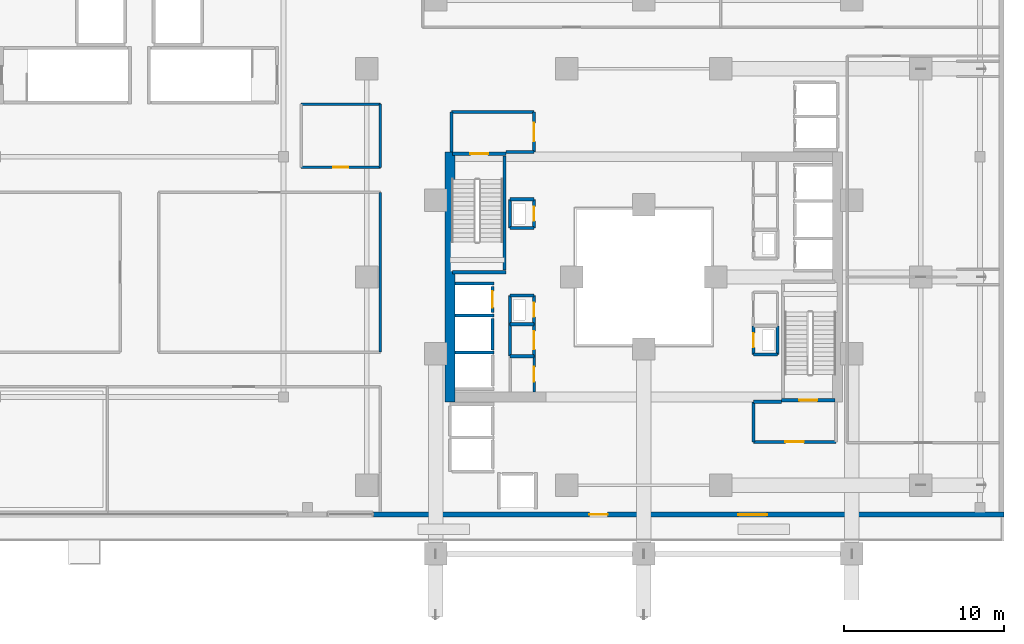
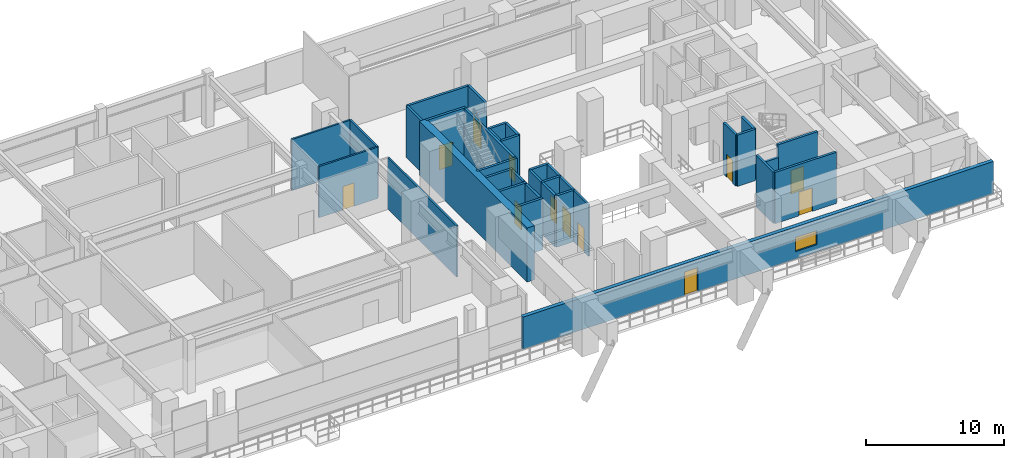
# One storey, part 18 of 25: 37 walls, 12 doors, 1 window, 13 openings.
"""IFC4 building model written with IfcOpenShell, lengths in metres."""

from ifc_helpers import new_model, si_unit, direction, frame, frame_2d, origin, place, context, subcontext, project, spatial, rectangle, extrude, material, layer, layer_set, type_object, element, fill, save


model = new_model("IFC4")

# Units and contexts
model_context = context("Model", 3, precision=1e-05, world=origin(), true_north=direction((0.0, 1.0)))
body_context = subcontext(model_context, "Body", "Model", "MODEL_VIEW")
ifc_project = project(units=[si_unit("LENGTHUNIT", "METRE"), si_unit("AREAUNIT", "SQUARE_METRE"), si_unit("VOLUMEUNIT", "CUBIC_METRE"), si_unit("PLANEANGLEUNIT", "RADIAN"), si_unit("MASSUNIT", "GRAM", prefix="KILO")], contexts=[model_context])

# Site, building, storey
site_placement = place(None, origin())
site = spatial("IfcSite", under=ifc_project, at=site_placement, CompositionType="ELEMENT")
building_placement = place(site_placement, origin())
building = spatial("IfcBuilding", under=site, at=building_placement, Name="Thornwick Lancets Civic Towers", CompositionType="ELEMENT")
storey_placement = place(building_placement, frame((0.0, 0.0, 23.10009765625)))
storey = spatial("IfcBuildingStorey", under=building, at=storey_placement, Name="L05", CompositionType="ELEMENT", Elevation=23.10009765625)

# Wall, opening, door
ifc_material_1 = material(Name="Concrete blockwork C40/50", Category="masonry")
ifc_layer_1 = layer(ifc_material_1, 0.199951171875, Name="Concrete blockwork C40/50")
ifc_layer_set_1 = layer_set([ifc_layer_1], Name="Concrete blockwork C40/50")
wall_type_1 = type_object("IfcWallType", Name="WALL_COMP_200", PredefinedType="STANDARD", material=ifc_layer_set_1)
wall_1_placement = place(storey_placement, frame((79.050048828125, 24.780029296875, 0.0), z_axis=(0.0, 0.0, 1.0), x_axis=(0.0, 1.0, 0.0)))
wall_1 = element("IfcWall", 1, at=wall_1_placement, inside=storey, type_object=wall_type_1, Name="L05 Hoistway Front Wall FL-B2", PredefinedType="STANDARD", context=body_context, shape_type="SweptSolid", body=[
    extrude(rectangle(XDim=1.639892578125, YDim=0.199951171875, at=frame_2d((0.81982421875, 0.0))), origin(), (0.0, 0.0, 1.0), 4.539794921875),
])
opening_1_placement = place(wall_1_placement, frame((0.31005859375, 0.0, 0.0)))
opening_1 = element("IfcOpeningElement", 2, at=opening_1_placement, cuts=wall_1, Name="Opening LD-FL-B2", PredefinedType="OPENING", context=body_context, shape_type="SweptSolid", body=[
    extrude(rectangle(XDim=1.02001953125, YDim=2.06005859375, at=frame_2d((0.510009765625, 1.030029296875))), frame((0.0, 0.10986328125, 0.0), z_axis=(0.0, -1.0, 0.0), x_axis=(1.0, 0.0, 0.0)), (0.0, 0.0, 1.0), 0.219970703125),
])
ifc_material_2 = material(Name="Brushed bronze stainless steel", Category="steel")
door_type_1 = type_object("IfcDoorType", Name="DOOR_LIFT_SLIDE", OperationType="SLIDING_TO_LEFT", PredefinedType="DOOR", material=ifc_material_2)
door_1_placement = place(opening_1_placement, origin())
door_1 = element("IfcDoor", 3, at=door_1_placement, inside=storey, type_object=door_type_1, Name="L05 Sliding Lift Landing Door LD-FL-B2", OperationType="SLIDING_TO_LEFT", OverallHeight=2.06005859375, OverallWidth=1.02001953125, PredefinedType="DOOR", context=body_context, shape_type="SweptSolid", body=[
    extrude(rectangle(XDim=1.02001953125, YDim=2.06005859375, at=frame_2d((0.510009765625, 1.030029296875))), frame((0.0, 0.02490234375, 0.0), z_axis=(0.0, -1.0, 0.0), x_axis=(1.0, 0.0, 0.0)), (0.0, 0.0, 1.0), 0.050048828125),
])
fill(opening_1, door_1)

# Walls
wall_2_placement = place(storey_placement, frame((79.050048828125, 22.429931640625, 0.0), z_axis=(0.0, 0.0, 1.0), x_axis=(0.0, 1.0, 0.0)))
element("IfcWall", 4, at=wall_2_placement, inside=storey, type_object=wall_type_1, Name="L05 Hoistway Front Wall PL-BH2", PredefinedType="STANDARD", context=body_context, shape_type="SweptSolid", body=[
    extrude(rectangle(XDim=1.989990234375, YDim=0.199951171875, at=frame_2d((0.9951171875, 0.0))), origin(), (0.0, 0.0, 1.0), 4.539794921875),
])
for number, where, z_axis, x_axis, name in (
    (5, (76.7119140625, 26.60009765625, 0.0), (0.0, 0.0, 1.0), (1.0, 0.0, 0.0), "L05 Hoistway Shaft Wall FL-B2 N"),
    (6, (76.7119140625, 24.60009765625, 0.0), (0.0, 0.0, 1.0), (1.0, 0.0, 0.0), "L05 Hoistway Shaft Wall FL-B2 S"),
    (7, (76.7119140625, 22.27490234375, 0.0), (0.0, 0.0, 1.0), (1.0, 0.0, 0.0), "L05 Hoistway Shaft Wall PL-BH2 S"),
):
    element("IfcWall", number, at=place(storey_placement, frame(where, z_axis=z_axis, x_axis=x_axis)), inside=storey, type_object=wall_type_1, Name=name, PredefinedType="STANDARD", context=body_context, shape_type="SweptSolid", body=[
        extrude(rectangle(XDim=2.43603515625, YDim=0.199951171875, at=frame_2d((1.218017578125, 0.0))), origin(), (0.0, 0.0, 1.0), 4.539794921875),
    ])

# Wall, opening, door
wall_3_placement = place(storey_placement, frame((95.35009765625, 16.699951171875, 0.0), z_axis=(0.0, 0.0, 1.0), x_axis=(1.0, 0.0, 0.0)))
wall_3 = element("IfcWall", 8, at=wall_3_placement, inside=storey, type_object=wall_type_1, Name="L05 Partition L05-B-FFLOB1 E1", PredefinedType="STANDARD", context=body_context, shape_type="SweptSolid", body=[
    extrude(rectangle(XDim=5.14990234375, YDim=0.199951171875, at=frame_2d((2.574951171875, 0.0))), origin(), (0.0, 0.0, 1.0), 4.539794921875),
])
opening_2_placement = place(wall_3_placement, frame((2.0, 0.0, 0.0)))
opening_2 = element("IfcOpeningElement", 9, at=opening_2_placement, cuts=wall_3, Name="Opening D-L05-0289", PredefinedType="OPENING", context=body_context, shape_type="SweptSolid", body=[
    extrude(rectangle(XDim=1.14990234375, YDim=2.10009765625, at=frame_2d((0.574951171875, 1.050048828125))), frame((0.0, 0.10986328125, 0.0), z_axis=(0.0, -1.0, 0.0), x_axis=(1.0, 0.0, 0.0)), (0.0, 0.0, 1.0), 0.219970703125),
])
ifc_material_3 = material(Name="Glazed fire-resisting steel", Category="steel")
door_type_2 = type_object("IfcDoorType", Name="DOOR_LOBBY_FD60", OperationType="NOTDEFINED", PredefinedType="DOOR", material=ifc_material_3)
door_2_placement = place(opening_2_placement, origin())
door_2 = element("IfcDoor", 10, at=door_2_placement, inside=storey, type_object=door_type_2, Name="L05 East Firefighting Lobby 1 Door", OperationType="SINGLE_SWING_RIGHT", OverallHeight=2.10009765625, OverallWidth=1.14990234375, PredefinedType="DOOR", context=body_context, shape_type="SweptSolid", body=[
    extrude(rectangle(XDim=1.14990234375, YDim=2.10009765625, at=frame_2d((0.574951171875, 1.050048828125))), frame((0.0, 0.02490234375, 0.0), z_axis=(0.0, -1.0, 0.0), x_axis=(1.0, 0.0, 0.0)), (0.0, 0.0, 1.0), 0.050048828125),
])
fill(opening_2, door_2)

# Walls
wall_4_placement = place(storey_placement, frame((97.10009765625, 19.199951171875, 0.0), z_axis=(0.0, 0.0, 1.0), x_axis=(-1.0, 0.0, 0.0)))
element("IfcWall", 11, at=wall_4_placement, inside=storey, type_object=wall_type_1, Name="L05 Partition L05-B-FFLOB1 E3", PredefinedType="STANDARD", context=body_context, shape_type="SweptSolid", body=[
    extrude(rectangle(XDim=1.75, YDim=0.199951171875, at=frame_2d((0.875, 0.0))), origin(), (0.0, 0.0, 1.0), 3.744873046875),
])
wall_5_placement = place(storey_placement, frame((95.35009765625, 19.199951171875, 0.0), z_axis=(0.0, 0.0, 1.0), x_axis=(0.0, -1.0, 0.0)))
element("IfcWall", 12, at=wall_5_placement, inside=storey, type_object=wall_type_1, Name="L05 Partition L05-B-FFLOB1 E4", PredefinedType="STANDARD", context=body_context, shape_type="SweptSolid", body=[
    extrude(rectangle(XDim=2.5, YDim=0.199951171875, at=frame_2d((1.25, 0.0))), origin(), (0.0, 0.0, 1.0), 4.539794921875),
])
wall_6_placement = place(storey_placement, frame((79.89990234375, 34.800048828125, 0.0), z_axis=(0.0, 0.0, 1.0), x_axis=(1.0, 0.0, 0.0)))
element("IfcWall", 13, at=wall_6_placement, inside=storey, type_object=wall_type_1, Name="L05 Partition L05-B-FFLOB2 E1", PredefinedType="STANDARD", context=body_context, shape_type="SweptSolid", body=[
    extrude(rectangle(XDim=1.75, YDim=0.199951171875, at=frame_2d((0.875, 0.0))), origin(), (0.0, 0.0, 1.0), 3.744873046875),
])

# Wall, opening, door
wall_7_placement = place(storey_placement, frame((81.64990234375, 34.800048828125, 0.0), z_axis=(0.0, 0.0, 1.0), x_axis=(0.0, 1.0, 0.0)))
wall_7 = element("IfcWall", 14, at=wall_7_placement, inside=storey, type_object=wall_type_1, Name="L05 Partition L05-B-FFLOB2 E2", PredefinedType="STANDARD", context=body_context, shape_type="SweptSolid", body=[
    extrude(rectangle(XDim=2.5, YDim=0.199951171875, at=frame_2d((1.25, 0.0))), origin(), (0.0, 0.0, 1.0), 4.539794921875),
])
opening_3_placement = place(wall_7_placement, frame((0.675048828125, 0.0, 0.0)))
opening_3 = element("IfcOpeningElement", 15, at=opening_3_placement, cuts=wall_7, Name="Opening D-L05-0290", PredefinedType="OPENING", context=body_context, shape_type="SweptSolid", body=[
    extrude(rectangle(XDim=1.14990234375, YDim=2.10009765625, at=frame_2d((0.574951171875, 1.050048828125))), frame((0.0, 0.10986328125, 0.0), z_axis=(0.0, -1.0, 0.0), x_axis=(1.0, 0.0, 0.0)), (0.0, 0.0, 1.0), 0.219970703125),
])
door_3_placement = place(opening_3_placement, origin())
door_3 = element("IfcDoor", 16, at=door_3_placement, inside=storey, type_object=door_type_2, Name="L05 West Firefighting Lobby 2 Door", OperationType="SINGLE_SWING_LEFT", OverallHeight=2.10009765625, OverallWidth=1.14990234375, PredefinedType="DOOR", context=body_context, shape_type="SweptSolid", body=[
    extrude(rectangle(XDim=1.14990234375, YDim=2.10009765625, at=frame_2d((0.574951171875, 1.050048828125))), frame((0.0, 0.02490234375, 0.0), z_axis=(0.0, -1.0, 0.0), x_axis=(1.0, 0.0, 0.0)), (0.0, 0.0, 1.0), 0.050048828125),
])
fill(opening_3, door_3)

# Walls
wall_8_placement = place(storey_placement, frame((81.64990234375, 37.300048828125, 0.0), z_axis=(0.0, 0.0, 1.0), x_axis=(-1.0, 0.0, 0.0)))
element("IfcWall", 17, at=wall_8_placement, inside=storey, type_object=wall_type_1, Name="L05 Partition L05-B-FFLOB2 E3", PredefinedType="STANDARD", context=body_context, shape_type="SweptSolid", body=[
    extrude(rectangle(XDim=5.14990234375, YDim=0.199951171875, at=frame_2d((2.574951171875, 0.0))), origin(), (0.0, 0.0, 1.0), 4.539794921875),
])
wall_9_placement = place(storey_placement, frame((76.5, 37.300048828125, 0.0), z_axis=(0.0, 0.0, 1.0), x_axis=(0.0, -1.0, 0.0)))
element("IfcWall", 18, at=wall_9_placement, inside=storey, type_object=wall_type_1, Name="L05 Partition L05-B-FFLOB2 E4", PredefinedType="STANDARD", context=body_context, shape_type="SweptSolid", body=[
    extrude(rectangle(XDim=2.5, YDim=0.199951171875, at=frame_2d((1.25, 0.0))), origin(), (0.0, 0.0, 1.0), 4.539794921875),
])
wall_10_placement = place(storey_placement, frame((95.35009765625, 22.14990234375, 0.0), z_axis=(0.0, 0.0, 1.0), x_axis=(1.0, 0.0, 0.0)))
element("IfcWall", 19, at=wall_10_placement, inside=storey, type_object=wall_type_1, Name="L05 Partition L05-B-RISER1 E1", PredefinedType="STANDARD", context=body_context, shape_type="SweptSolid", body=[
    extrude(rectangle(XDim=1.5, YDim=0.199951171875, at=frame_2d((0.75, 0.0))), origin(), (0.0, 0.0, 1.0), 4.539794921875),
])
wall_11_placement = place(storey_placement, frame((96.85009765625, 22.14990234375, 0.0), z_axis=(0.0, 0.0, 1.0), x_axis=(0.0, 1.0, 0.0)))
element("IfcWall", 20, at=wall_11_placement, inside=storey, type_object=wall_type_1, Name="L05 Partition L05-B-RISER1 E2", PredefinedType="STANDARD", context=body_context, shape_type="SweptSolid", body=[
    extrude(rectangle(XDim=1.800048828125, YDim=0.199951171875, at=frame_2d((0.89990234375, 0.0))), origin(), (0.0, 0.0, 1.0), 4.539794921875),
])

# Wall, opening, door
wall_12_placement = place(storey_placement, frame((95.35009765625, 23.949951171875, 0.0), z_axis=(0.0, 0.0, 1.0), x_axis=(0.0, -1.0, 0.0)))
wall_12 = element("IfcWall", 21, at=wall_12_placement, inside=storey, type_object=wall_type_1, Name="L05 Partition L05-B-RISER1 E4", PredefinedType="STANDARD", context=body_context, shape_type="SweptSolid", body=[
    extrude(rectangle(XDim=1.800048828125, YDim=0.199951171875, at=frame_2d((0.89990234375, 0.0))), origin(), (0.0, 0.0, 1.0), 4.539794921875),
])
opening_4_placement = place(wall_12_placement, frame((0.4599609375, 0.0, 0.0)))
opening_4 = element("IfcOpeningElement", 22, at=opening_4_placement, cuts=wall_12, Name="Opening D-L05-0292", PredefinedType="OPENING", context=body_context, shape_type="SweptSolid", body=[
    extrude(rectangle(XDim=0.8798828125, YDim=2.0400390625, at=frame_2d((0.43994140625, 1.02001953125))), frame((0.0, 0.10986328125, 0.0), z_axis=(0.0, -1.0, 0.0), x_axis=(1.0, 0.0, 0.0)), (0.0, 0.0, 1.0), 0.219970703125),
])
ifc_material_4 = material(Name="Steel riser access doorset", Category="steel")
door_type_3 = type_object("IfcDoorType", Name="DOOR_RISER_850", OperationType="NOTDEFINED", PredefinedType="DOOR", material=ifc_material_4)
door_4_placement = place(opening_4_placement, origin())
door_4 = element("IfcDoor", 23, at=door_4_placement, inside=storey, type_object=door_type_3, Name="L05 East Electrical Riser 1 Door", OperationType="SINGLE_SWING_LEFT", OverallHeight=2.0400390625, OverallWidth=0.8798828125, PredefinedType="DOOR", context=body_context, shape_type="SweptSolid", body=[
    extrude(rectangle(XDim=0.8798828125, YDim=2.0400390625, at=frame_2d((0.43994140625, 1.02001953125))), frame((0.0, 0.02490234375, 0.0), z_axis=(0.0, -1.0, 0.0), x_axis=(1.0, 0.0, 0.0)), (0.0, 0.0, 1.0), 0.050048828125),
])
fill(opening_4, door_4)

# Wall
wall_13_placement = place(storey_placement, frame((80.14990234375, 24.050048828125, 0.0), z_axis=(0.0, 0.0, 1.0), x_axis=(1.0, 0.0, 0.0)))
element("IfcWall", 24, at=wall_13_placement, inside=storey, type_object=wall_type_1, Name="L05 Partition L05-B-DUCT2 E1", PredefinedType="STANDARD", context=body_context, shape_type="SweptSolid", body=[
    extrude(rectangle(XDim=1.5, YDim=0.199951171875, at=frame_2d((0.75, 0.0))), origin(), (0.0, 0.0, 1.0), 4.539794921875),
])

# Wall, opening, door
wall_14_placement = place(storey_placement, frame((81.64990234375, 24.050048828125, 0.0), z_axis=(0.0, 0.0, 1.0), x_axis=(0.0, 1.0, 0.0)))
wall_14 = element("IfcWall", 25, at=wall_14_placement, inside=storey, type_object=wall_type_1, Name="L05 Partition L05-B-DUCT2 E2", PredefinedType="STANDARD", context=body_context, shape_type="SweptSolid", body=[
    extrude(rectangle(XDim=1.800048828125, YDim=0.199951171875, at=frame_2d((0.89990234375, 0.0))), origin(), (0.0, 0.0, 1.0), 4.539794921875),
])
opening_5_placement = place(wall_14_placement, frame((0.4599609375, 0.0, 0.0)))
opening_5 = element("IfcOpeningElement", 26, at=opening_5_placement, cuts=wall_14, Name="Opening D-L05-0293", PredefinedType="OPENING", context=body_context, shape_type="SweptSolid", body=[
    extrude(rectangle(XDim=0.8798828125, YDim=2.0400390625, at=frame_2d((0.43994140625, 1.02001953125))), frame((0.0, 0.10986328125, 0.0), z_axis=(0.0, -1.0, 0.0), x_axis=(1.0, 0.0, 0.0)), (0.0, 0.0, 1.0), 0.219970703125),
])
door_5_placement = place(opening_5_placement, origin())
door_5 = element("IfcDoor", 27, at=door_5_placement, inside=storey, type_object=door_type_3, Name="L05 West Service Duct 2 Door", OperationType="SINGLE_SWING_RIGHT", OverallHeight=2.0400390625, OverallWidth=0.8798828125, PredefinedType="DOOR", context=body_context, shape_type="SweptSolid", body=[
    extrude(rectangle(XDim=0.8798828125, YDim=2.0400390625, at=frame_2d((0.43994140625, 1.02001953125))), frame((0.0, 0.02490234375, 0.0), z_axis=(0.0, -1.0, 0.0), x_axis=(1.0, 0.0, 0.0)), (0.0, 0.0, 1.0), 0.050048828125),
])
fill(opening_5, door_5)

# Walls
wall_15_placement = place(storey_placement, frame((81.64990234375, 25.85009765625, 0.0), z_axis=(0.0, 0.0, 1.0), x_axis=(-1.0, 0.0, 0.0)))
element("IfcWall", 28, at=wall_15_placement, inside=storey, type_object=wall_type_1, Name="L05 Partition L05-B-DUCT2 E3", PredefinedType="STANDARD", context=body_context, shape_type="SweptSolid", body=[
    extrude(rectangle(XDim=1.5, YDim=0.199951171875, at=frame_2d((0.75, 0.0))), origin(), (0.0, 0.0, 1.0), 4.539794921875),
])
wall_16_placement = place(storey_placement, frame((80.14990234375, 25.85009765625, 0.0), z_axis=(0.0, 0.0, 1.0), x_axis=(0.0, -1.0, 0.0)))
element("IfcWall", 29, at=wall_16_placement, inside=storey, type_object=wall_type_1, Name="L05 Partition L05-B-DUCT2 E4", PredefinedType="STANDARD", context=body_context, shape_type="SweptSolid", body=[
    extrude(rectangle(XDim=1.800048828125, YDim=0.199951171875, at=frame_2d((0.89990234375, 0.0))), origin(), (0.0, 0.0, 1.0), 4.539794921875),
])
wall_17_placement = place(storey_placement, frame((80.14990234375, 30.050048828125, 0.0), z_axis=(0.0, 0.0, 1.0), x_axis=(1.0, 0.0, 0.0)))
element("IfcWall", 30, at=wall_17_placement, inside=storey, type_object=wall_type_1, Name="L05 Partition L05-B-RISER2 E1", PredefinedType="STANDARD", context=body_context, shape_type="SweptSolid", body=[
    extrude(rectangle(XDim=1.5, YDim=0.199951171875, at=frame_2d((0.75, 0.0))), origin(), (0.0, 0.0, 1.0), 4.539794921875),
])

# Wall, opening, door
wall_18_placement = place(storey_placement, frame((81.64990234375, 30.050048828125, 0.0), z_axis=(0.0, 0.0, 1.0), x_axis=(0.0, 1.0, 0.0)))
wall_18 = element("IfcWall", 31, at=wall_18_placement, inside=storey, type_object=wall_type_1, Name="L05 Partition L05-B-RISER2 E2", PredefinedType="STANDARD", context=body_context, shape_type="SweptSolid", body=[
    extrude(rectangle(XDim=1.800048828125, YDim=0.199951171875, at=frame_2d((0.89990234375, 0.0))), origin(), (0.0, 0.0, 1.0), 4.539794921875),
])
opening_6_placement = place(wall_18_placement, frame((0.4599609375, 0.0, 0.0)))
opening_6 = element("IfcOpeningElement", 32, at=opening_6_placement, cuts=wall_18, Name="Opening D-L05-0294", PredefinedType="OPENING", context=body_context, shape_type="SweptSolid", body=[
    extrude(rectangle(XDim=0.8798828125, YDim=2.0400390625, at=frame_2d((0.43994140625, 1.02001953125))), frame((0.0, 0.10986328125, 0.0), z_axis=(0.0, -1.0, 0.0), x_axis=(1.0, 0.0, 0.0)), (0.0, 0.0, 1.0), 0.219970703125),
])
door_6_placement = place(opening_6_placement, origin())
door_6 = element("IfcDoor", 33, at=door_6_placement, inside=storey, type_object=door_type_3, Name="L05 West Service Riser 2 Door", OperationType="SINGLE_SWING_LEFT", OverallHeight=2.0400390625, OverallWidth=0.8798828125, PredefinedType="DOOR", context=body_context, shape_type="SweptSolid", body=[
    extrude(rectangle(XDim=0.8798828125, YDim=2.0400390625, at=frame_2d((0.43994140625, 1.02001953125))), frame((0.0, 0.02490234375, 0.0), z_axis=(0.0, -1.0, 0.0), x_axis=(1.0, 0.0, 0.0)), (0.0, 0.0, 1.0), 0.050048828125),
])
fill(opening_6, door_6)

# Walls
wall_19_placement = place(storey_placement, frame((81.64990234375, 31.85009765625, 0.0), z_axis=(0.0, 0.0, 1.0), x_axis=(-1.0, 0.0, 0.0)))
element("IfcWall", 34, at=wall_19_placement, inside=storey, type_object=wall_type_1, Name="L05 Partition L05-B-RISER2 E3", PredefinedType="STANDARD", context=body_context, shape_type="SweptSolid", body=[
    extrude(rectangle(XDim=1.5, YDim=0.199951171875, at=frame_2d((0.75, 0.0))), origin(), (0.0, 0.0, 1.0), 4.539794921875),
])
wall_20_placement = place(storey_placement, frame((80.14990234375, 31.85009765625, 0.0), z_axis=(0.0, 0.0, 1.0), x_axis=(0.0, -1.0, 0.0)))
element("IfcWall", 35, at=wall_20_placement, inside=storey, type_object=wall_type_1, Name="L05 Partition L05-B-RISER2 E4", PredefinedType="STANDARD", context=body_context, shape_type="SweptSolid", body=[
    extrude(rectangle(XDim=1.800048828125, YDim=0.199951171875, at=frame_2d((0.89990234375, 0.0))), origin(), (0.0, 0.0, 1.0), 4.539794921875),
])
wall_21_placement = place(storey_placement, frame((80.14990234375, 22.050048828125, 0.0), z_axis=(0.0, 0.0, 1.0), x_axis=(0.0, 1.0, 0.0)))
element("IfcWall", 36, at=wall_21_placement, inside=storey, type_object=wall_type_1, Name="L05 Partition L05-B-STR E1", PredefinedType="STANDARD", context=body_context, shape_type="SweptSolid", body=[
    extrude(rectangle(XDim=2.0, YDim=0.199951171875, at=frame_2d((1.0, 0.0))), origin(), (0.0, 0.0, 1.0), 4.539794921875),
])

# Wall, opening, door
wall_22_placement = place(storey_placement, frame((81.64990234375, 24.050048828125, 0.0), z_axis=(0.0, 0.0, 1.0), x_axis=(0.0, -1.0, 0.0)))
wall_22 = element("IfcWall", 37, at=wall_22_placement, inside=storey, type_object=wall_type_1, Name="L05 Partition L05-B-STR E3", PredefinedType="STANDARD", context=body_context, shape_type="SweptSolid", body=[
    extrude(rectangle(XDim=2.0, YDim=0.199951171875, at=frame_2d((1.0, 0.0))), origin(), (0.0, 0.0, 1.0), 4.539794921875),
])
opening_7_placement = place(wall_22_placement, frame((0.425048828125, 0.0, 0.0)))
opening_7 = element("IfcOpeningElement", 38, at=opening_7_placement, cuts=wall_22, Name="Opening D-L05-0299", PredefinedType="OPENING", context=body_context, shape_type="SweptSolid", body=[
    extrude(rectangle(XDim=1.14990234375, YDim=2.10009765625, at=frame_2d((0.574951171875, 1.050048828125))), frame((0.0, 0.10986328125, 0.0), z_axis=(0.0, -1.0, 0.0), x_axis=(1.0, 0.0, 0.0)), (0.0, 0.0, 1.0), 0.219970703125),
])
door_7_placement = place(opening_7_placement, origin())
door_7 = element("IfcDoor", 39, at=door_7_placement, inside=storey, type_object=door_type_2, Name="L05 Tower B Core Records Store Door", OperationType="SINGLE_SWING_RIGHT", OverallHeight=2.10009765625, OverallWidth=1.14990234375, PredefinedType="DOOR", context=body_context, shape_type="SweptSolid", body=[
    extrude(rectangle(XDim=1.14990234375, YDim=2.10009765625, at=frame_2d((0.574951171875, 1.050048828125))), frame((0.0, 0.02490234375, 0.0), z_axis=(0.0, -1.0, 0.0), x_axis=(1.0, 0.0, 0.0)), (0.0, 0.0, 1.0), 0.050048828125),
])
fill(opening_7, door_7)

# Walls
wall_23_placement = place(storey_placement, frame((81.64990234375, 22.050048828125, 0.0), z_axis=(0.0, 0.0, 1.0), x_axis=(-1.0, 0.0, 0.0)))
element("IfcWall", 40, at=wall_23_placement, inside=storey, type_object=wall_type_1, Name="L05 Partition L05-B-STR E4", PredefinedType="STANDARD", context=body_context, shape_type="SweptSolid", body=[
    extrude(rectangle(XDim=1.5, YDim=0.199951171875, at=frame_2d((0.75, 0.0))), origin(), (0.0, 0.0, 1.0), 4.539794921875),
])
ifc_material_5 = material(Name="Concrete C60/75", Category="concrete")
ifc_layer_2 = layer(ifc_material_5, 0.60009765625, Name="Concrete C60/75")
ifc_layer_set_2 = layer_set([ifc_layer_2], Name="Concrete C60/75")
wall_type_2 = type_object("IfcWallType", Name="WALL_CORE_600", PredefinedType="SHEAR", material=ifc_layer_set_2)
wall_24_placement = place(storey_placement, frame((76.39990234375, 19.199951171875, 0.0), z_axis=(0.0, 0.0, 1.0), x_axis=(0.0, 1.0, 0.0)))
element("IfcWall", 41, at=wall_24_placement, inside=storey, type_object=wall_type_2, Name="L05 Split Core B2 Shear Wall W", PredefinedType="SHEAR", context=body_context, shape_type="SweptSolid", body=[
    extrude(rectangle(XDim=15.60009765625, YDim=0.60009765625, at=frame_2d((7.800048828125, 0.0))), origin(), (0.0, 0.0, 1.0), 4.7998046875),
])

# Wall, openings, door, window
ifc_material_6 = material(Name="Insulated buff terracotta rainscreen on concrete C40/50", Category="masonry")
ifc_layer_3 = layer(ifc_material_6, 0.320068359375, Name="Insulated buff terracotta rainscreen on concrete C40/50")
ifc_layer_set_3 = layer_set([ifc_layer_3], Name="Insulated buff terracotta rainscreen on concrete C40/50")
wall_type_3 = type_object("IfcWallType", Name="WALL_EXT_TERRA_320", PredefinedType="STANDARD", material=ifc_layer_set_3)
wall_25_placement = place(storey_placement, frame((71.60009765625, 12.159912109375, 0.0), z_axis=(0.0, 0.0, 1.0), x_axis=(1.0, 0.0, 0.0)))
wall_25 = element("IfcWall", 42, at=wall_25_placement, inside=storey, type_object=wall_type_3, Name="L05 Podium South-East Facade Wall", PredefinedType="STANDARD", context=body_context, shape_type="SweptSolid", body=[
    extrude(rectangle(XDim=39.39990234375, YDim=0.320068359375, at=frame_2d((19.699951171875, 0.0))), origin(), (0.0, 0.0, 1.0), 2.83984375),
])
opening_8_placement = place(wall_25_placement, frame((13.5, 0.0, 0.0)))
opening_8 = element("IfcOpeningElement", 43, at=opening_8_placement, cuts=wall_25, Name="Opening D-TR-L05-2", PredefinedType="OPENING", context=body_context, shape_type="SweptSolid", body=[
    extrude(rectangle(XDim=1.14990234375, YDim=2.10009765625, at=frame_2d((0.574951171875, 1.050048828125))), frame((0.0, 0.169921875, 0.0), z_axis=(0.0, -1.0, 0.0), x_axis=(1.0, 0.0, 0.0)), (0.0, 0.0, 1.0), 0.340087890625),
])
opening_9_placement = place(wall_25_placement, frame((22.800048828125, 0.0, 0.64990234375)))
opening_9 = element("IfcOpeningElement", 44, at=opening_9_placement, cuts=wall_25, Name="Opening WP-18", PredefinedType="OPENING", context=body_context, shape_type="SweptSolid", body=[
    extrude(rectangle(XDim=1.800048828125, YDim=1.25, at=frame_2d((0.89990234375, 0.625))), frame((0.0, 0.169921875, 0.0), z_axis=(0.0, -1.0, 0.0), x_axis=(1.0, 0.0, 0.0)), (0.0, 0.0, 1.0), 0.340087890625),
])
ifc_material_7 = material(Name="Thermally broken glazed terrace doorset")
door_type_4 = type_object("IfcDoorType", Name="DOOR_TERRACE_1200", OperationType="NOTDEFINED", PredefinedType="DOOR", material=ifc_material_7)
door_8_placement = place(opening_8_placement, origin())
door_8 = element("IfcDoor", 45, at=door_8_placement, inside=storey, type_object=door_type_4, Name="L05 Cascading Garden Terrace Door 2", OperationType="SINGLE_SWING_RIGHT", OverallHeight=2.10009765625, OverallWidth=1.14990234375, PredefinedType="DOOR", context=body_context, shape_type="SweptSolid", body=[
    extrude(rectangle(XDim=1.14990234375, YDim=2.10009765625, at=frame_2d((0.574951171875, 1.050048828125))), frame((0.0, 0.02490234375, 0.0), z_axis=(0.0, -1.0, 0.0), x_axis=(1.0, 0.0, 0.0)), (0.0, 0.0, 1.0), 0.050048828125),
])
fill(opening_8, door_8)
ifc_material_8 = material(Name="Pointed lancet clear glass window", Category="glass")
window_type = type_object("IfcWindowType", Name="WIN_PODIUM_1800", PartitioningType="SINGLE_PANEL", PredefinedType="WINDOW", material=ifc_material_8)
window_placement = place(opening_9_placement, origin())
window = element("IfcWindow", 46, at=window_placement, inside=storey, type_object=window_type, Name="L05 Podium Lancet Window 3", OverallHeight=1.25, OverallWidth=1.800048828125, PartitioningType="SINGLE_PANEL", PredefinedType="WINDOW", context=body_context, shape_type="SweptSolid", body=[
    extrude(rectangle(XDim=1.800048828125, YDim=1.25, at=frame_2d((0.89990234375, 0.625))), frame((0.0, 0.030029296875, 0.0), z_axis=(0.0, -1.0, 0.0), x_axis=(1.0, 0.0, 0.0)), (0.0, 0.0, 1.0), 0.06005859375),
])
fill(opening_9, window)

# Wall, opening, door
ifc_material_9 = material(Name="Twin-stud acoustic gypsum board")
ifc_layer_4 = layer(ifc_material_9, 0.14990234375, Name="Twin-stud acoustic gypsum board")
ifc_layer_set_4 = layer_set([ifc_layer_4], Name="Twin-stud acoustic gypsum board")
wall_type_4 = type_object("IfcWallType", Name="WALL_PART_150", PredefinedType="PARTITIONING", material=ifc_layer_set_4)
wall_26_placement = place(storey_placement, frame((81.64990234375, 19.800048828125, 0.0), z_axis=(0.0, 0.0, 1.0), x_axis=(0.0, 1.0, 0.0)))
wall_26 = element("IfcWall", 47, at=wall_26_placement, inside=storey, type_object=wall_type_4, Name="L05 Partition L05-B-AWC E2", PredefinedType="PARTITIONING", context=body_context, shape_type="SweptSolid", body=[
    extrude(rectangle(XDim=2.25, YDim=0.14990234375, at=frame_2d((1.125, 0.0))), origin(), (0.0, 0.0, 1.0), 4.539794921875),
])
opening_10_placement = place(wall_26_placement, frame((0.6650390625, 0.0, 0.0)))
opening_10 = element("IfcOpeningElement", 48, at=opening_10_placement, cuts=wall_26, Name="Opening D-L05-0298", PredefinedType="OPENING", context=body_context, shape_type="SweptSolid", body=[
    extrude(rectangle(XDim=0.919921875, YDim=2.080078125, at=frame_2d((0.4599609375, 1.0400390625))), frame((0.0, 0.0849609375, 0.0), z_axis=(0.0, -1.0, 0.0), x_axis=(1.0, 0.0, 0.0)), (0.0, 0.0, 1.0), 0.169921875),
])
ifc_material_10 = material(Name="Moisture-resistant oak doorset")
door_type_5 = type_object("IfcDoorType", Name="DOOR_WC_900", OperationType="NOTDEFINED", PredefinedType="DOOR", material=ifc_material_10)
door_9_placement = place(opening_10_placement, origin())
door_9 = element("IfcDoor", 49, at=door_9_placement, inside=storey, type_object=door_type_5, Name="L05 Tower B Accessible WC Door", OperationType="SINGLE_SWING_LEFT", OverallHeight=2.080078125, OverallWidth=0.919921875, PredefinedType="DOOR", context=body_context, shape_type="SweptSolid", body=[
    extrude(rectangle(XDim=0.919921875, YDim=2.080078125, at=frame_2d((0.4599609375, 1.0400390625))), frame((0.0, 0.02490234375, 0.0), z_axis=(0.0, -1.0, 0.0), x_axis=(1.0, 0.0, 0.0)), (0.0, 0.0, 1.0), 0.050048828125),
])
fill(opening_10, door_9)

wall_27_placement = place(storey_placement, frame((67.10009765625, 33.85009765625, 0.0), z_axis=(0.0, 0.0, 1.0), x_axis=(1.0, 0.0, 0.0)))
wall_27 = element("IfcWall", 50, at=wall_27_placement, inside=storey, type_object=wall_type_4, Name="L05 Partition L05-POD-FWC E1", PredefinedType="PARTITIONING", context=body_context, shape_type="SweptSolid", body=[
    extrude(rectangle(XDim=4.949951171875, YDim=0.14990234375, at=frame_2d((2.47509765625, 0.0))), origin(), (0.0, 0.0, 1.0), 4.539794921875),
])
opening_11_placement = place(wall_27_placement, frame((2.014892578125, 0.0, 0.0)))
opening_11 = element("IfcOpeningElement", 51, at=opening_11_placement, cuts=wall_27, Name="Opening D-L05-0301", PredefinedType="OPENING", context=body_context, shape_type="SweptSolid", body=[
    extrude(rectangle(XDim=0.919921875, YDim=2.080078125, at=frame_2d((0.4599609375, 1.0400390625))), frame((0.0, 0.0849609375, 0.0), z_axis=(0.0, -1.0, 0.0), x_axis=(1.0, 0.0, 0.0)), (0.0, 0.0, 1.0), 0.169921875),
])
door_10_placement = place(opening_11_placement, origin())
door_10 = element("IfcDoor", 52, at=door_10_placement, inside=storey, type_object=door_type_5, Name="L05 Podium Public Female WC Door", OperationType="SINGLE_SWING_RIGHT", OverallHeight=2.080078125, OverallWidth=0.919921875, PredefinedType="DOOR", context=body_context, shape_type="SweptSolid", body=[
    extrude(rectangle(XDim=0.919921875, YDim=2.080078125, at=frame_2d((0.4599609375, 1.0400390625))), frame((0.0, 0.02490234375, 0.0), z_axis=(0.0, -1.0, 0.0), x_axis=(1.0, 0.0, 0.0)), (0.0, 0.0, 1.0), 0.050048828125),
])
fill(opening_11, door_10)

# Walls
wall_28_placement = place(storey_placement, frame((72.050048828125, 33.85009765625, 0.0), z_axis=(0.0, 0.0, 1.0), x_axis=(0.0, 1.0, 0.0)))
element("IfcWall", 53, at=wall_28_placement, inside=storey, type_object=wall_type_4, Name="L05 Partition L05-POD-FWC E2", PredefinedType="PARTITIONING", context=body_context, shape_type="SweptSolid", body=[
    extrude(rectangle(XDim=3.949951171875, YDim=0.14990234375, at=frame_2d((1.97509765625, 0.0))), origin(), (0.0, 0.0, 1.0), 4.539794921875),
])
wall_29_placement = place(storey_placement, frame((72.050048828125, 37.800048828125, 0.0), z_axis=(0.0, 0.0, 1.0), x_axis=(-1.0, 0.0, 0.0)))
element("IfcWall", 54, at=wall_29_placement, inside=storey, type_object=wall_type_4, Name="L05 Partition L05-POD-FWC E3", PredefinedType="PARTITIONING", context=body_context, shape_type="SweptSolid", body=[
    extrude(rectangle(XDim=4.949951171875, YDim=0.14990234375, at=frame_2d((2.47509765625, 0.0))), origin(), (0.0, 0.0, 1.0), 4.539794921875),
])
wall_30_placement = place(storey_placement, frame((72.050048828125, 32.280029296875, 0.0), z_axis=(0.0, 0.0, 1.0), x_axis=(0.0, -1.0, 0.0)))
element("IfcWall", 55, at=wall_30_placement, inside=storey, type_object=wall_type_4, Name="L05 Partition L05-CSE E2", PredefinedType="PARTITIONING", context=body_context, shape_type="SweptSolid", body=[
    extrude(rectangle(XDim=9.97998046875, YDim=0.14990234375, at=frame_2d((4.989990234375, 0.0))), origin(), (0.0, 0.0, 1.0), 4.539794921875),
])

# Wall, opening, door
ifc_material_11 = material(Name="Concrete C40/50", Category="concrete")
ifc_layer_5 = layer(ifc_material_11, 0.199951171875, Name="Concrete C40/50")
ifc_layer_set_5 = layer_set([ifc_layer_5], Name="Concrete C40/50")
wall_type_5 = type_object("IfcWallType", Name="WALL_SHAFT_200", PredefinedType="SHEAR", material=ifc_layer_set_5)
wall_31_placement = place(storey_placement, frame((100.449951171875, 19.300048828125, 0.0), z_axis=(0.0, 0.0, 1.0), x_axis=(-1.0, 0.0, 0.0)))
wall_31 = element("IfcWall", 56, at=wall_31_placement, inside=storey, type_object=wall_type_5, Name="L05 ST-B1 Fire Stair Core Wall NEAR", PredefinedType="SHEAR", context=body_context, shape_type="SweptSolid", body=[
    extrude(rectangle(XDim=3.349853515625, YDim=0.199951171875, at=frame_2d((1.6748046875, 0.0))), origin(), (0.0, 0.0, 1.0), 4.7998046875),
])
opening_12_placement = place(wall_31_placement, frame((1.125, 0.0, 0.0)))
opening_12 = element("IfcOpeningElement", 57, at=opening_12_placement, cuts=wall_31, Name="Opening D-ST-B1-L05", PredefinedType="OPENING", context=body_context, shape_type="SweptSolid", body=[
    extrude(rectangle(XDim=1.10009765625, YDim=2.10009765625, at=frame_2d((0.550048828125, 1.050048828125))), frame((0.0, 0.10986328125, 0.0), z_axis=(0.0, -1.0, 0.0), x_axis=(1.0, 0.0, 0.0)), (0.0, 0.0, 1.0), 0.219970703125),
])
ifc_material_12 = material(Name="Fire-resisting steel and hardwood", Category="steel")
door_type_6 = type_object("IfcDoorType", Name="DOOR_STAIR_FD60", OperationType="NOTDEFINED", PredefinedType="DOOR", material=ifc_material_12)
door_11_placement = place(opening_12_placement, origin())
door_11 = element("IfcDoor", 58, at=door_11_placement, inside=storey, type_object=door_type_6, Name="L05 ST-B1 Exit Stair Door", OperationType="SINGLE_SWING_LEFT", OverallHeight=2.10009765625, OverallWidth=1.10009765625, PredefinedType="DOOR", context=body_context, shape_type="SweptSolid", body=[
    extrude(rectangle(XDim=1.10009765625, YDim=2.10009765625, at=frame_2d((0.550048828125, 1.050048828125))), frame((0.0, 0.02490234375, 0.0), z_axis=(0.0, -1.0, 0.0), x_axis=(1.0, 0.0, 0.0)), (0.0, 0.0, 1.0), 0.050048828125),
])
fill(opening_12, door_11)

wall_32_placement = place(storey_placement, frame((76.550048828125, 34.699951171875, 0.0), z_axis=(0.0, 0.0, 1.0), x_axis=(1.0, 0.0, 0.0)))
wall_32 = element("IfcWall", 59, at=wall_32_placement, inside=storey, type_object=wall_type_5, Name="L05 ST-B2 Fire Stair Core Wall NEAR", PredefinedType="SHEAR", context=body_context, shape_type="SweptSolid", body=[
    extrude(rectangle(XDim=3.349853515625, YDim=0.199951171875, at=frame_2d((1.6748046875, 0.0))), origin(), (0.0, 0.0, 1.0), 4.7998046875),
])
opening_13_placement = place(wall_32_placement, frame((1.125, 0.0, 0.0)))
opening_13 = element("IfcOpeningElement", 60, at=opening_13_placement, cuts=wall_32, Name="Opening D-ST-B2-L05", PredefinedType="OPENING", context=body_context, shape_type="SweptSolid", body=[
    extrude(rectangle(XDim=1.10009765625, YDim=2.10009765625, at=frame_2d((0.550048828125, 1.050048828125))), frame((0.0, 0.10986328125, 0.0), z_axis=(0.0, -1.0, 0.0), x_axis=(1.0, 0.0, 0.0)), (0.0, 0.0, 1.0), 0.219970703125),
])
door_12_placement = place(opening_13_placement, origin())
door_12 = element("IfcDoor", 61, at=door_12_placement, inside=storey, type_object=door_type_6, Name="L05 ST-B2 Exit Stair Door", OperationType="SINGLE_SWING_RIGHT", OverallHeight=2.10009765625, OverallWidth=1.10009765625, PredefinedType="DOOR", context=body_context, shape_type="SweptSolid", body=[
    extrude(rectangle(XDim=1.10009765625, YDim=2.10009765625, at=frame_2d((0.550048828125, 1.050048828125))), frame((0.0, 0.02490234375, 0.0), z_axis=(0.0, -1.0, 0.0), x_axis=(1.0, 0.0, 0.0)), (0.0, 0.0, 1.0), 0.050048828125),
])
fill(opening_13, door_12)

# Walls
wall_33_placement = place(storey_placement, frame((79.89990234375, 27.300048828125, 0.0), z_axis=(0.0, 0.0, 1.0), x_axis=(-1.0, 0.0, 0.0)))
element("IfcWall", 62, at=wall_33_placement, inside=storey, type_object=wall_type_5, Name="L05 ST-B2 Fire Stair Core Wall FAR", PredefinedType="SHEAR", context=body_context, shape_type="SweptSolid", body=[
    extrude(rectangle(XDim=3.349853515625, YDim=0.199951171875, at=frame_2d((1.6748046875, 0.0))), origin(), (0.0, 0.0, 1.0), 4.7998046875),
])
wall_34_placement = place(storey_placement, frame((79.797119140625, 27.449951171875, 0.0), z_axis=(0.0, 0.0, 1.0), x_axis=(0.0, 1.0, 0.0)))
element("IfcWall", 63, at=wall_34_placement, inside=storey, type_object=wall_type_5, Name="L05 ST-B2 Fire Stair Core Wall RIGHT", PredefinedType="SHEAR", context=body_context, shape_type="SweptSolid", body=[
    extrude(rectangle(XDim=7.10009765625, YDim=0.199951171875, at=frame_2d((3.550048828125, 0.0))), origin(), (0.0, 0.0, 1.0), 4.7998046875),
])

save(model, "model.ifc")
